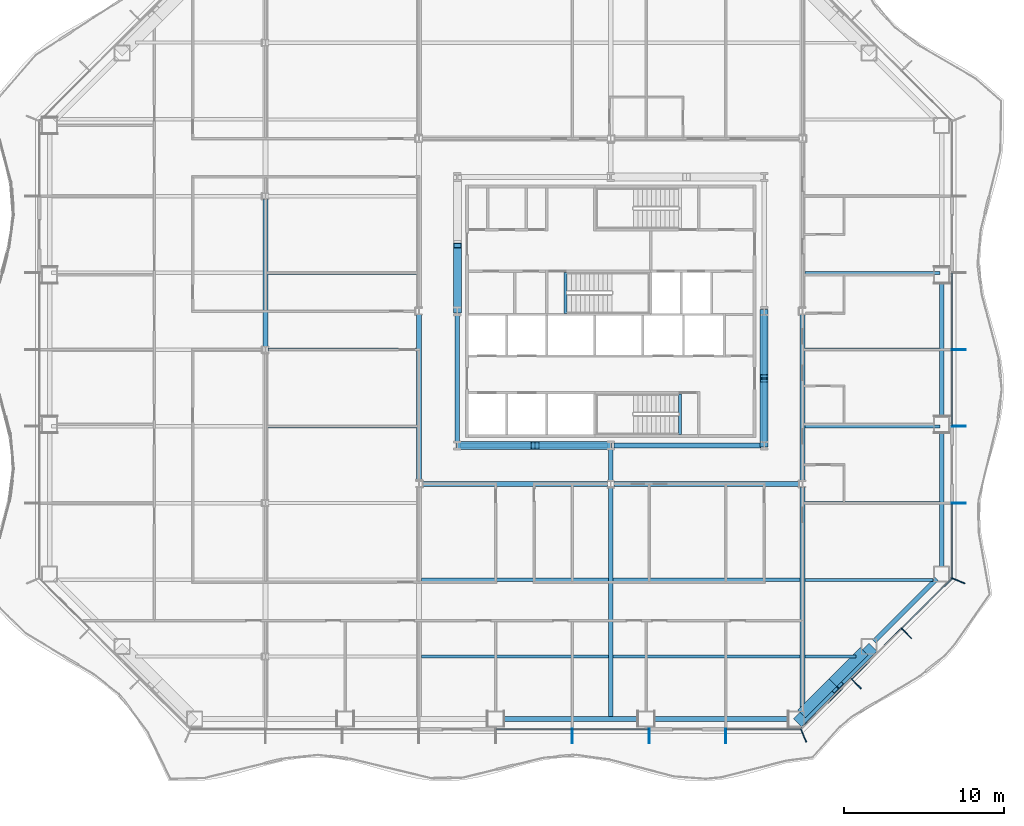
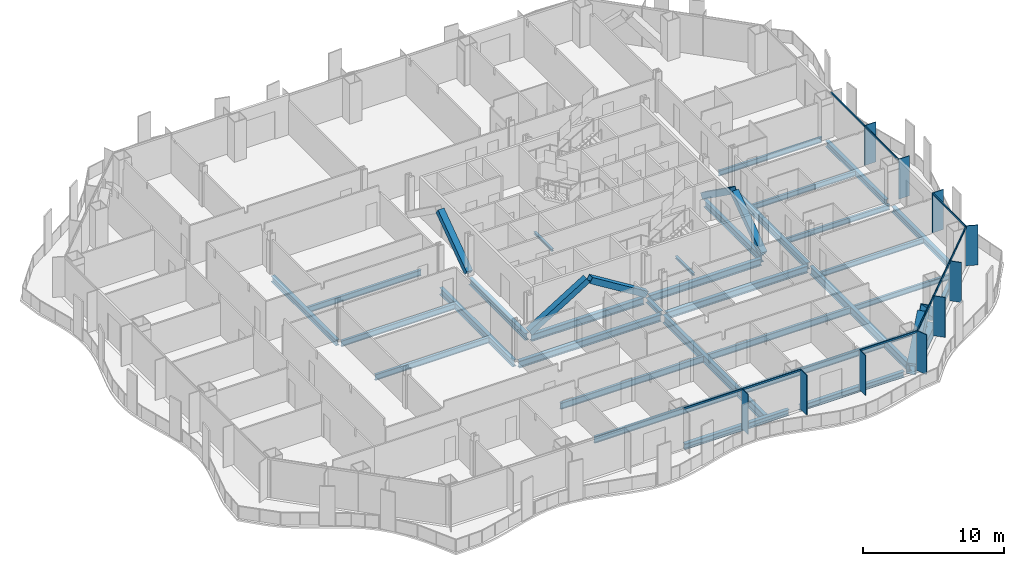
# One storey, part 2 of 20: 34 beams, 26 members, 3 elements without a shape of their own.
"""IFC4 building model written with IfcOpenShell, lengths in metres."""

from ifc_helpers import new_model, si_unit, direction, frame, origin, origin_2d, place, context, subcontext, project, spatial, rectangle, hollow_rectangle, i_section, extrude, material, material_profile, profile_set, type_object, element, aggregate, save


model = new_model("IFC4")

# Units and contexts
model_context = context("Model", 3, precision=1e-05, world=origin(), true_north=direction((0.0, 1.0)))
body_context = subcontext(model_context, "Body", "Model", "MODEL_VIEW")
ifc_project = project(units=[si_unit("LENGTHUNIT", "METRE"), si_unit("AREAUNIT", "SQUARE_METRE"), si_unit("VOLUMEUNIT", "CUBIC_METRE"), si_unit("PLANEANGLEUNIT", "RADIAN"), si_unit("MASSUNIT", "GRAM", prefix="KILO")], contexts=[model_context])

# Site, building, storey
site_placement = place(None, origin())
site = spatial("IfcSite", under=ifc_project, at=site_placement, CompositionType="ELEMENT")
building_placement = place(site_placement, origin())
building = spatial("IfcBuilding", under=site, at=building_placement, Name="Cairn Pilgrim Tower", CompositionType="ELEMENT")
storey_placement = place(building_placement, frame((0.0, 0.0, 51.0)))
storey = spatial("IfcBuildingStorey", under=building, at=storey_placement, Name="L10", CompositionType="ELEMENT", Elevation=51.0)

# Members
ifc_material_1 = material(Name="Structural steel S460M", Category="steel")
ifc_material_profile_1 = material_profile(ifc_material_1, hollow_rectangle(XDim=0.5, YDim=0.5, WallThickness=0.030029296875, at=origin_2d()), Name="BOX 500x500x30")
ifc_profile_set_1 = profile_set([ifc_material_profile_1], Name="Structural steel S460M")
member_type_1 = type_object("IfcMemberType", Name="BOX 500x500x30 BRACE", PredefinedType="BRACE", material=ifc_profile_set_1)
member_1_placement = place(storey_placement, frame((-2.3544921875, -6.0, 0.10009765625), z_axis=(0.850924649093, 0.0, 0.525287770242), x_axis=(0.0, 1.0, 0.0)))
element("IfcMember", 1, at=member_1_placement, inside=storey, type_object=member_type_1, Name="KB-1A", PredefinedType="BRACE", context=body_context, shape_type="SweptSolid", body=[
    extrude(hollow_rectangle(XDim=0.5, YDim=0.5, WallThickness=0.030029296875, at=origin_2d()), origin(), (0.0, 0.0, 1.0), 5.52490234375),
])
member_2_placement = place(storey_placement, frame((7.154541015625, -6.0, 0.10009765625), z_axis=(-0.850919818074, 0.0, 0.52529559603), x_axis=(0.0, -1.0, 0.0)))
element("IfcMember", 2, at=member_2_placement, inside=storey, type_object=member_type_1, Name="KB-1B", PredefinedType="BRACE", context=body_context, shape_type="SweptSolid", body=[
    extrude(hollow_rectangle(XDim=0.5, YDim=0.5, WallThickness=0.030029296875, at=origin_2d()), origin(), (0.0, 0.0, 1.0), 5.375),
])
member_3_placement = place(storey_placement, frame((16.800048828125, -5.95458984375, 0.10009765625), z_axis=(0.0, 0.814083383497, 0.580748004486), x_axis=(-1.0, 0.0, 0.0)))
element("IfcMember", 3, at=member_3_placement, inside=storey, type_object=member_type_1, Name="KB-2A", PredefinedType="BRACE", context=body_context, shape_type="SweptSolid", body=[
    extrude(hollow_rectangle(XDim=0.5, YDim=0.5, WallThickness=0.030029296875, at=origin_2d()), origin(), (0.0, 0.0, 1.0), 4.9951171875),
])
member_4_placement = place(storey_placement, frame((16.800048828125, 2.3544921875, 0.10009765625), z_axis=(0.0, -0.814066898095, 0.580771112769), x_axis=(1.0, 0.0, 0.0)))
element("IfcMember", 4, at=member_4_placement, inside=storey, type_object=member_type_1, Name="KB-2B", PredefinedType="BRACE", context=body_context, shape_type="SweptSolid", body=[
    extrude(hollow_rectangle(XDim=0.5, YDim=0.5, WallThickness=0.030029296875, at=origin_2d()), origin(), (0.0, 0.0, 1.0), 4.994873046875),
])
member_5_placement = place(storey_placement, frame((-2.39990234375, 2.4453125, 0.10009765625), z_axis=(0.0, 0.814083383497, 0.580748004486), x_axis=(-1.0, 0.0, 0.0)))
element("IfcMember", 5, at=member_5_placement, inside=storey, type_object=member_type_1, Name="KB-4B", PredefinedType="BRACE", context=body_context, shape_type="SweptSolid", body=[
    extrude(hollow_rectangle(XDim=0.5, YDim=0.5, WallThickness=0.030029296875, at=origin_2d()), origin(), (0.0, 0.0, 1.0), 4.9951171875),
])
ifc_material_profile_2 = material_profile(ifc_material_1, hollow_rectangle(XDim=0.699951171875, YDim=0.699951171875, WallThickness=0.0400390625, at=origin_2d()), Name="BOX 700x700x40")
ifc_profile_set_2 = profile_set([ifc_material_profile_2], Name="Structural steel S460M")
member_type_2 = type_object("IfcMemberType", Name="BOX 700x700x40 BRACE", PredefinedType="BRACE", material=ifc_profile_set_2)
member_6_placement = place(storey_placement, frame((19.0498046875, -23.181396484375, 0.14990234375), z_axis=(0.528096125699, 0.528096125699, 0.665002980477), x_axis=(-0.707106781187, 0.707106781187, 0.0)))
element("IfcMember", 6, at=member_6_placement, inside=storey, type_object=member_type_2, Name="XB-SE1-SE2-1", PredefinedType="BRACE", context=body_context, shape_type="SweptSolid", body=[
    extrude(hollow_rectangle(XDim=0.699951171875, YDim=0.699951171875, WallThickness=0.0400390625, at=origin_2d()), origin(), (0.0, 0.0, 1.0), 3.89990234375),
])
member_7_placement = place(storey_placement, frame((23.44482421875, -18.786376953125, 0.14990234375), z_axis=(-0.528068439288, -0.528068439288, 0.665046950866), x_axis=(0.707106781187, -0.707106781187, 0.0)))
element("IfcMember", 7, at=member_7_placement, inside=storey, type_object=member_type_2, Name="XB-SE1-SE2-2", PredefinedType="BRACE", context=body_context, shape_type="SweptSolid", body=[
    extrude(hollow_rectangle(XDim=0.699951171875, YDim=0.699951171875, WallThickness=0.0400390625, at=origin_2d()), origin(), (0.0, 0.0, 1.0), 3.899658203125),
])

# Beams
ifc_material_2 = material(Name="Structural steel S355J2", Category="steel")
ifc_material_profile_3 = material_profile(ifc_material_2, hollow_rectangle(XDim=0.699951171875, YDim=0.800048828125, WallThickness=0.0400390625, at=origin_2d()), Name="BOX 700x800x40")
ifc_profile_set_3 = profile_set([ifc_material_profile_3], Name="Structural steel S355J2")
beam_type_1 = type_object("IfcBeamType", Name="BOX 700x800x40 RING GIRDER", PredefinedType="SPANDREL", material=ifc_profile_set_3)
for number, where, z_axis, x_axis, name in (
    (8, (19.1455078125, -22.78173828125, -0.550048828125), (0.707106781187, 0.707106781187, 0.0), (-0.707106781187, 0.707106781187, 0.0), "RG1-SE1-SE2-1"),
    (9, (21.095458984375, -20.831787109375, -0.550048828125), (0.707106781187, 0.707106781187, 0.0), (-0.707106781187, 0.707106781187, 0.0), "RG1-SE1-SE2-2"),
):
    element("IfcBeam", number, at=place(storey_placement, frame(where, z_axis=z_axis, x_axis=x_axis)), inside=storey, type_object=beam_type_1, Name=name, PredefinedType="SPANDREL", context=body_context, shape_type="SweptSolid", body=[
        extrude(hollow_rectangle(XDim=0.699951171875, YDim=0.800048828125, WallThickness=0.0400390625, at=origin_2d()), origin(), (0.0, 0.0, 1.0), 2.757568359375),
    ])

# Curtain wall, members
ifc_material_3 = material(Name="Aluminium alloy 6063-T6 bronze anodised with Bronze tinted laminated low-E glass 8+16+8.8", Category="aluminium")
curtain_wall_type_1 = type_object("IfcCurtainWallType", Name="TOWER STICK CURTAIN WALL NS", PredefinedType="NOTDEFINED", material=ifc_material_3)
curtain_wall_1_placement = place(storey_placement, origin())
curtain_wall_1 = element("IfcCurtainWall", 10, at=curtain_wall_1_placement, inside=storey, type_object=curtain_wall_type_1, Name="Tower Stick Curtain Wall Ns S", PredefinedType="NOTDEFINED")
ifc_material_4 = material(Name="Aluminium alloy 6063-T6 bronze anodised", Category="aluminium")
ifc_material_profile_4 = material_profile(ifc_material_4, rectangle(XDim=0.89990234375, YDim=0.06005859375, at=origin_2d()), Name="FIN MULLION 60x900 BRONZE")
ifc_profile_set_4 = profile_set([ifc_material_profile_4], Name="Aluminium alloy 6063-T6 bronze anodised")
member_type_3 = type_object("IfcMemberType", Name="FIN MULLION 60x900 BRONZE", PredefinedType="MULLION", material=ifc_profile_set_4)
member_8_placement = place(storey_placement, frame((4.800048828125, -24.169921875, 0.0), z_axis=(0.0, 0.0, 1.0), x_axis=(0.0, -1.0, 0.0)))
member_8 = element("IfcMember", 11, at=member_8_placement, type_object=member_type_3, Name="Fin mullion S6", PredefinedType="MULLION", context=body_context, shape_type="SweptSolid", body=[
    extrude(rectangle(XDim=0.89990234375, YDim=0.06005859375, at=origin_2d()), origin(), (0.0, 0.0, 1.0), 3.449951171875),
])
member_9_placement = place(storey_placement, frame((9.60009765625, -24.169921875, 0.0), z_axis=(0.0, 0.0, 1.0), x_axis=(0.0, -1.0, 0.0)))
member_9 = element("IfcMember", 12, at=member_9_placement, type_object=member_type_3, Name="Fin mullion S7", PredefinedType="MULLION", context=body_context, shape_type="SweptSolid", body=[
    extrude(rectangle(XDim=0.89990234375, YDim=0.06005859375, at=origin_2d()), origin(), (0.0, 0.0, 1.0), 3.449951171875),
])
member_10_placement = place(storey_placement, frame((14.39990234375, -24.169921875, 0.0), z_axis=(0.0, 0.0, 1.0), x_axis=(0.0, -1.0, 0.0)))
member_10 = element("IfcMember", 13, at=member_10_placement, type_object=member_type_3, Name="Fin mullion S8", PredefinedType="MULLION", context=body_context, shape_type="SweptSolid", body=[
    extrude(rectangle(XDim=0.89990234375, YDim=0.06005859375, at=origin_2d()), origin(), (0.0, 0.0, 1.0), 3.449951171875),
])

curtain_wall_type_2 = type_object("IfcCurtainWallType", Name="CHAMFER CORNER CURTAIN WALL", PredefinedType="NOTDEFINED", material=ifc_material_3)
curtain_wall_2_placement = place(storey_placement, origin())
curtain_wall_2 = element("IfcCurtainWall", 14, at=curtain_wall_2_placement, inside=storey, type_object=curtain_wall_type_2, Name="Chamfer Corner Curtain Wall SE", PredefinedType="NOTDEFINED")
member_11_placement = place(storey_placement, frame((19.257080078125, -24.137939453125, 0.0), z_axis=(0.0, 0.0, 1.0), x_axis=(0.382683432365, -0.923879532511, 0.0)))
member_11 = element("IfcMember", 15, at=member_11_placement, type_object=member_type_3, Name="Fin mullion SE1", PredefinedType="MULLION", context=body_context, shape_type="SweptSolid", body=[
    extrude(rectangle(XDim=0.89990234375, YDim=0.06005859375, at=origin_2d()), origin(), (0.0, 0.0, 1.0), 3.449951171875),
])
member_12_placement = place(storey_placement, frame((22.544677734375, -20.895751953125, 0.0), z_axis=(0.0, 0.0, 1.0), x_axis=(0.707106781187, -0.707106781187, 0.0)))
member_12 = element("IfcMember", 16, at=member_12_placement, type_object=member_type_3, Name="Fin mullion SE2", PredefinedType="MULLION", context=body_context, shape_type="SweptSolid", body=[
    extrude(rectangle(XDim=0.89990234375, YDim=0.06005859375, at=origin_2d()), origin(), (0.0, 0.0, 1.0), 3.449951171875),
])
member_13_placement = place(storey_placement, frame((25.69580078125, -17.74462890625, 0.0), z_axis=(0.0, 0.0, 1.0), x_axis=(0.707106781187, -0.707106781187, 0.0)))
member_13 = element("IfcMember", 17, at=member_13_placement, type_object=member_type_3, Name="Fin mullion SE3", PredefinedType="MULLION", context=body_context, shape_type="SweptSolid", body=[
    extrude(rectangle(XDim=0.89990234375, YDim=0.06005859375, at=origin_2d()), origin(), (0.0, 0.0, 1.0), 3.449951171875),
])

curtain_wall_type_3 = type_object("IfcCurtainWallType", Name="TOWER STICK CURTAIN WALL EW", PredefinedType="NOTDEFINED", material=ifc_material_3)
curtain_wall_3_placement = place(storey_placement, origin())
curtain_wall_3 = element("IfcCurtainWall", 18, at=curtain_wall_3_placement, inside=storey, type_object=curtain_wall_type_3, Name="Tower Stick Curtain Wall Ew E", PredefinedType="NOTDEFINED")
member_14_placement = place(storey_placement, frame((28.93798828125, -14.457275390625, 0.0), z_axis=(0.0, 0.0, 1.0), x_axis=(0.923879532511, -0.382683432365, 0.0)))
member_14 = element("IfcMember", 19, at=member_14_placement, type_object=member_type_3, Name="Fin mullion E1", PredefinedType="MULLION", context=body_context, shape_type="SweptSolid", body=[
    extrude(rectangle(XDim=0.89990234375, YDim=0.06005859375, at=origin_2d()), origin(), (0.0, 0.0, 1.0), 3.449951171875),
])
member_15_placement = place(storey_placement, frame((28.969970703125, -9.60009765625, 0.0), z_axis=(0.0, 0.0, 1.0), x_axis=(1.0, 0.0, 0.0)))
member_15 = element("IfcMember", 20, at=member_15_placement, type_object=member_type_3, Name="Fin mullion E2", PredefinedType="MULLION", context=body_context, shape_type="SweptSolid", body=[
    extrude(rectangle(XDim=0.89990234375, YDim=0.06005859375, at=origin_2d()), origin(), (0.0, 0.0, 1.0), 3.449951171875),
])
member_16_placement = place(storey_placement, frame((28.969970703125, -4.800048828125, 0.0), z_axis=(0.0, 0.0, 1.0), x_axis=(1.0, 0.0, 0.0)))
member_16 = element("IfcMember", 21, at=member_16_placement, type_object=member_type_3, Name="Fin mullion E3", PredefinedType="MULLION", context=body_context, shape_type="SweptSolid", body=[
    extrude(rectangle(XDim=0.89990234375, YDim=0.06005859375, at=origin_2d()), origin(), (0.0, 0.0, 1.0), 3.449951171875),
])
member_17_placement = place(storey_placement, frame((28.969970703125, 0.0, 0.0), z_axis=(0.0, 0.0, 1.0), x_axis=(1.0, 0.0, 0.0)))
member_17 = element("IfcMember", 22, at=member_17_placement, type_object=member_type_3, Name="Fin mullion E4", PredefinedType="MULLION", context=body_context, shape_type="SweptSolid", body=[
    extrude(rectangle(XDim=0.89990234375, YDim=0.06005859375, at=origin_2d()), origin(), (0.0, 0.0, 1.0), 3.449951171875),
])

# Beams
ifc_material_profile_5 = material_profile(ifc_material_2, i_section(OverallWidth=0.300048828125, OverallDepth=0.39990234375, WebThickness=0.013427734375, FlangeThickness=0.02392578125, FilletRadius=0.027099609375, at=origin_2d()), Name="HEB 400")
ifc_profile_set_5 = profile_set([ifc_material_profile_5], Name="Structural steel S355J2")
beam_type_2 = type_object("IfcBeamType", Name="HEB 400 GIRDER", PredefinedType="BEAM", material=ifc_profile_set_5)
beam_1_placement = place(storey_placement, frame((7.199951171875, -8.18798828125, -0.35009765625), z_axis=(0.0, 1.0, 0.0), x_axis=(-1.0, 0.0, 0.0)))
element("IfcBeam", 23, at=beam_1_placement, inside=storey, type_object=beam_type_2, Name="PG3-E1", PredefinedType="BEAM", context=body_context, shape_type="SweptSolid", body=[
    extrude(i_section(OverallWidth=0.300048828125, OverallDepth=0.39990234375, WebThickness=0.013427734375, FlangeThickness=0.02392578125, FilletRadius=0.027099609375, at=origin_2d()), origin(), (0.0, 0.0, 1.0), 1.9609375),
])
ifc_material_profile_6 = material_profile(ifc_material_2, i_section(OverallWidth=0.300048828125, OverallDepth=0.5, WebThickness=0.014404296875, FlangeThickness=0.028076171875, FilletRadius=0.027099609375, at=origin_2d()), Name="HEB 500")
ifc_profile_set_6 = profile_set([ifc_material_profile_6], Name="Structural steel S355J2")
beam_type_3 = type_object("IfcBeamType", Name="HEB 500 GIRDER", PredefinedType="BEAM", material=ifc_profile_set_6)
beam_2_placement = place(storey_placement, frame((-14.39990234375, 0.20458984375, -0.39990234375), z_axis=(0.0, 1.0, 0.0), x_axis=(-1.0, 0.0, 0.0)))
element("IfcBeam", 24, at=beam_2_placement, inside=storey, type_object=beam_type_3, Name="PG1-4", PredefinedType="BEAM", context=body_context, shape_type="SweptSolid", body=[
    extrude(i_section(OverallWidth=0.300048828125, OverallDepth=0.5, WebThickness=0.014404296875, FlangeThickness=0.028076171875, FilletRadius=0.027099609375, at=origin_2d()), origin(), (0.0, 0.0, 1.0), 9.19091796875),
])
ifc_material_profile_7 = material_profile(ifc_material_2, i_section(OverallWidth=0.300048828125, OverallDepth=0.5, WebThickness=0.014404296875, FlangeThickness=0.028076171875, FilletRadius=0.027099609375, at=origin_2d()), Name="HEB 500")
ifc_profile_set_7 = profile_set([ifc_material_profile_7], Name="Structural steel S355J2")
beam_type_4 = type_object("IfcBeamType", Name="HEB 500 RING GIRDER", PredefinedType="SPANDREL", material=ifc_profile_set_7)
for number, where, z_axis, x_axis, name in (
    (25, (0.449951171875, -23.10009765625, -0.39990234375), (1.0, 0.0, 0.0), (0.0, 1.0, 0.0), "RG1-S3-S4"),
    (26, (9.863525390625, -23.10009765625, -0.39990234375), (1.0, 0.0, 0.0), (0.0, 1.0, 0.0), "RG1-S4-SE1"),
):
    element("IfcBeam", number, at=place(storey_placement, frame(where, z_axis=z_axis, x_axis=x_axis)), inside=storey, type_object=beam_type_4, Name=name, PredefinedType="SPANDREL", context=body_context, shape_type="SweptSolid", body=[
        extrude(i_section(OverallWidth=0.300048828125, OverallDepth=0.5, WebThickness=0.014404296875, FlangeThickness=0.028076171875, FilletRadius=0.027099609375, at=origin_2d()), origin(), (0.0, 0.0, 1.0), 8.513671875),
    ])
beam_3_placement = place(storey_placement, frame((23.681884765625, -18.245361328125, -0.39990234375), z_axis=(0.707106781187, 0.707106781187, 0.0), x_axis=(-0.707106781187, 0.707106781187, 0.0)))
element("IfcBeam", 27, at=beam_3_placement, inside=storey, type_object=beam_type_4, Name="RG1-SE2-E1", PredefinedType="SPANDREL", context=body_context, shape_type="SweptSolid", body=[
    extrude(i_section(OverallWidth=0.300048828125, OverallDepth=0.5, WebThickness=0.014404296875, FlangeThickness=0.028076171875, FilletRadius=0.027099609375, at=origin_2d()), origin(), (0.0, 0.0, 1.0), 5.515380859375),
])
beam_4_placement = place(storey_placement, frame((27.89990234375, -13.5771484375, -0.39990234375), z_axis=(0.0, 1.0, 0.0), x_axis=(-1.0, 0.0, 0.0)))
element("IfcBeam", 28, at=beam_4_placement, inside=storey, type_object=beam_type_4, Name="RG1-E1-E2", PredefinedType="SPANDREL", context=body_context, shape_type="SweptSolid", body=[
    extrude(i_section(OverallWidth=0.300048828125, OverallDepth=0.5, WebThickness=0.014404296875, FlangeThickness=0.028076171875, FilletRadius=0.027099609375, at=origin_2d()), origin(), (0.0, 0.0, 1.0), 8.451416015625),
])
beam_5_placement = place(storey_placement, frame((27.89990234375, -4.2255859375, -0.39990234375), z_axis=(0.0, 1.0, 0.0), x_axis=(-1.0, 0.0, 0.0)))
element("IfcBeam", 29, at=beam_5_placement, inside=storey, type_object=beam_type_4, Name="RG1-E2-E3", PredefinedType="SPANDREL", context=body_context, shape_type="SweptSolid", body=[
    extrude(i_section(OverallWidth=0.300048828125, OverallDepth=0.5, WebThickness=0.014404296875, FlangeThickness=0.028076171875, FilletRadius=0.027099609375, at=origin_2d()), origin(), (0.0, 0.0, 1.0), 8.451171875),
])
ifc_material_profile_8 = material_profile(ifc_material_2, i_section(OverallWidth=0.300048828125, OverallDepth=0.60009765625, WebThickness=0.015380859375, FlangeThickness=0.030029296875, FilletRadius=0.027099609375, at=origin_2d()), Name="HEB 600")
ifc_profile_set_8 = profile_set([ifc_material_profile_8], Name="Structural steel S355J2")
beam_type_5 = type_object("IfcBeamType", Name="HEB 600 CORE BEAM", PredefinedType="BEAM", material=ifc_profile_set_8)
for number, where, z_axis, x_axis, name in (
    (30, (-2.19580078125, -6.0, -0.449951171875), (1.0, 0.0, 0.0), (0.0, 1.0, 0.0), "CB-1"),
    (31, (7.404296875, -6.0, -0.449951171875), (1.0, 0.0, 0.0), (0.0, 1.0, 0.0), "CB-2"),
):
    element("IfcBeam", number, at=place(storey_placement, frame(where, z_axis=z_axis, x_axis=x_axis)), inside=storey, type_object=beam_type_5, Name=name, PredefinedType="BEAM", context=body_context, shape_type="SweptSolid", body=[
        extrude(i_section(OverallWidth=0.300048828125, OverallDepth=0.60009765625, WebThickness=0.015380859375, FlangeThickness=0.030029296875, FilletRadius=0.027099609375, at=origin_2d()), origin(), (0.0, 0.0, 1.0), 9.19140625),
    ])
for number, where, z_axis, x_axis, name in (
    (32, (16.800048828125, -5.795654296875, -0.449951171875), (0.0, 1.0, 0.0), (-1.0, 0.0, 0.0), "CB-3"),
    (33, (-2.39990234375, 2.19580078125, -0.449951171875), (0.0, -1.0, 0.0), (1.0, 0.0, 0.0), "CB-8"),
):
    element("IfcBeam", number, at=place(storey_placement, frame(where, z_axis=z_axis, x_axis=x_axis)), inside=storey, type_object=beam_type_5, Name=name, PredefinedType="BEAM", context=body_context, shape_type="SweptSolid", body=[
        extrude(i_section(OverallWidth=0.300048828125, OverallDepth=0.60009765625, WebThickness=0.015380859375, FlangeThickness=0.030029296875, FilletRadius=0.027099609375, at=origin_2d()), origin(), (0.0, 0.0, 1.0), 7.991455078125),
    ])
ifc_material_profile_9 = material_profile(ifc_material_2, i_section(OverallWidth=0.300048828125, OverallDepth=0.60009765625, WebThickness=0.015380859375, FlangeThickness=0.030029296875, FilletRadius=0.027099609375, at=origin_2d()), Name="HEB 600")
ifc_profile_set_9 = profile_set([ifc_material_profile_9], Name="Structural steel S355J2")
beam_type_6 = type_object("IfcBeamType", Name="HEB 600 GIRDER", PredefinedType="BEAM", material=ifc_profile_set_9)
for number, where, z_axis, x_axis, name in (
    (34, (-4.800048828125, -8.18798828125, -0.449951171875), (0.0, 1.0, 0.0), (-1.0, 0.0, 0.0), "PG2-2"),
    (35, (19.199951171875, -8.18798828125, -0.449951171875), (0.0, 1.0, 0.0), (-1.0, 0.0, 0.0), "PG4-2"),
):
    element("IfcBeam", number, at=place(storey_placement, frame(where, z_axis=z_axis, x_axis=x_axis)), inside=storey, type_object=beam_type_6, Name=name, PredefinedType="BEAM", context=body_context, shape_type="SweptSolid", body=[
        extrude(i_section(OverallWidth=0.300048828125, OverallDepth=0.60009765625, WebThickness=0.015380859375, FlangeThickness=0.030029296875, FilletRadius=0.027099609375, at=origin_2d()), origin(), (0.0, 0.0, 1.0), 10.3759765625),
    ])
ifc_material_profile_10 = material_profile(ifc_material_2, i_section(OverallWidth=0.300048828125, OverallDepth=0.60009765625, WebThickness=0.015380859375, FlangeThickness=0.030029296875, FilletRadius=0.027099609375, at=origin_2d()), Name="HEB 600")
ifc_profile_set_10 = profile_set([ifc_material_profile_10], Name="Structural steel S355J2")
beam_type_7 = type_object("IfcBeamType", Name="HEB 600 INNER GIRDER", PredefinedType="BEAM", material=ifc_profile_set_10)
for number, where, z_axis, x_axis, name in (
    (36, (-4.587890625, -8.39990234375, -0.449951171875), (1.0, 0.0, 0.0), (0.0, 1.0, 0.0), "IG1-1"),
    (37, (7.412109375, -8.39990234375, -0.449951171875), (1.0, 0.0, 0.0), (0.0, 1.0, 0.0), "IG1-2"),
):
    element("IfcBeam", number, at=place(storey_placement, frame(where, z_axis=z_axis, x_axis=x_axis)), inside=storey, type_object=beam_type_7, Name=name, PredefinedType="BEAM", context=body_context, shape_type="SweptSolid", body=[
        extrude(i_section(OverallWidth=0.300048828125, OverallDepth=0.60009765625, WebThickness=0.015380859375, FlangeThickness=0.030029296875, FilletRadius=0.027099609375, at=origin_2d()), origin(), (0.0, 0.0, 1.0), 11.575927734375),
    ])
ifc_material_profile_11 = material_profile(ifc_material_2, i_section(OverallWidth=0.300048828125, OverallDepth=0.699951171875, WebThickness=0.01708984375, FlangeThickness=0.031982421875, FilletRadius=0.027099609375, at=origin_2d()), Name="HEB 700")
ifc_profile_set_11 = profile_set([ifc_material_profile_11], Name="Structural steel S355J2")
beam_type_8 = type_object("IfcBeamType", Name="HEB 700 GIRDER", PredefinedType="BEAM", material=ifc_profile_set_11)
beam_6_placement = place(storey_placement, frame((7.199951171875, -22.97998046875, -0.5), z_axis=(0.0, 1.0, 0.0), x_axis=(-1.0, 0.0, 0.0)))
element("IfcBeam", 38, at=beam_6_placement, inside=storey, type_object=beam_type_8, Name="PG3-1", PredefinedType="BEAM", context=body_context, shape_type="SweptSolid", body=[
    extrude(i_section(OverallWidth=0.300048828125, OverallDepth=0.699951171875, WebThickness=0.01708984375, FlangeThickness=0.031982421875, FilletRadius=0.027099609375, at=origin_2d()), origin(), (0.0, 0.0, 1.0), 14.367919921875),
])
beam_7_placement = place(storey_placement, frame((19.199951171875, -22.545166015625, -0.5), z_axis=(0.0, 1.0, 0.0), x_axis=(-1.0, 0.0, 0.0)))
element("IfcBeam", 39, at=beam_7_placement, inside=storey, type_object=beam_type_8, Name="PG4-1", PredefinedType="BEAM", context=body_context, shape_type="SweptSolid", body=[
    extrude(i_section(OverallWidth=0.300048828125, OverallDepth=0.699951171875, WebThickness=0.01708984375, FlangeThickness=0.031982421875, FilletRadius=0.027099609375, at=origin_2d()), origin(), (0.0, 0.0, 1.0), 13.93310546875),
])
ifc_material_profile_12 = material_profile(ifc_material_2, i_section(OverallWidth=0.169921875, OverallDepth=0.360107421875, WebThickness=0.008056640625, FlangeThickness=0.0126953125, FilletRadius=0.01806640625, at=origin_2d()), Name="IPE 360")
ifc_profile_set_12 = profile_set([ifc_material_profile_12], Name="Structural steel S355J2")
beam_type_9 = type_object("IfcBeamType", Name="IPE 360 SECONDARY BEAM", PredefinedType="JOIST", material=ifc_profile_set_12)
beam_8_placement = place(storey_placement, frame((19.35009765625, -19.199951171875, -0.330078125), z_axis=(1.0, 0.0, 0.0), x_axis=(0.0, 1.0, 0.0)))
element("IfcBeam", 40, at=beam_8_placement, inside=storey, type_object=beam_type_9, Name="SB1-5", PredefinedType="JOIST", context=body_context, shape_type="SweptSolid", body=[
    extrude(i_section(OverallWidth=0.169921875, OverallDepth=0.360107421875, WebThickness=0.008056640625, FlangeThickness=0.0126953125, FilletRadius=0.01806640625, at=origin_2d()), origin(), (0.0, 0.0, 1.0), 3.195068359375),
])
ifc_material_profile_13 = material_profile(ifc_material_2, i_section(OverallWidth=0.18994140625, OverallDepth=0.449951171875, WebThickness=0.009521484375, FlangeThickness=0.0146484375, FilletRadius=0.02099609375, at=origin_2d()), Name="IPE 450")
ifc_profile_set_13 = profile_set([ifc_material_profile_13], Name="Structural steel S355J2")
beam_type_10 = type_object("IfcBeamType", Name="IPE 450 SECONDARY BEAM", PredefinedType="JOIST", material=ifc_profile_set_13)
beam_9_placement = place(storey_placement, frame((19.35009765625, -14.39990234375, -0.375), z_axis=(1.0, 0.0, 0.0), x_axis=(0.0, 1.0, 0.0)))
element("IfcBeam", 41, at=beam_9_placement, inside=storey, type_object=beam_type_10, Name="SB2-5", PredefinedType="JOIST", context=body_context, shape_type="SweptSolid", body=[
    extrude(i_section(OverallWidth=0.18994140625, OverallDepth=0.449951171875, WebThickness=0.009521484375, FlangeThickness=0.0146484375, FilletRadius=0.02099609375, at=origin_2d()), origin(), (0.0, 0.0, 1.0), 7.9951171875),
])
for number, where, z_axis, x_axis, name in (
    (42, (19.35009765625, -9.60009765625, -0.375), (1.0, 0.0, 0.0), (0.0, 1.0, 0.0), "SB3-3"),
    (43, (19.35009765625, -4.800048828125, -0.375), (1.0, 0.0, 0.0), (0.0, 1.0, 0.0), "SB4-3"),
    (44, (19.35009765625, 0.0, -0.375), (1.0, 0.0, 0.0), (0.0, 1.0, 0.0), "SB5-3"),
    (45, (19.35009765625, 4.800048828125, -0.375), (1.0, 0.0, 0.0), (0.0, 1.0, 0.0), "SB6-3"),
):
    element("IfcBeam", number, at=place(storey_placement, frame(where, z_axis=z_axis, x_axis=x_axis)), inside=storey, type_object=beam_type_10, Name=name, PredefinedType="JOIST", context=body_context, shape_type="SweptSolid", body=[
        extrude(i_section(OverallWidth=0.18994140625, OverallDepth=0.449951171875, WebThickness=0.009521484375, FlangeThickness=0.0146484375, FilletRadius=0.02099609375, at=origin_2d()), origin(), (0.0, 0.0, 1.0), 8.429931640625),
    ])
ifc_material_profile_14 = material_profile(ifc_material_2, i_section(OverallWidth=0.199951171875, OverallDepth=0.5, WebThickness=0.01025390625, FlangeThickness=0.01611328125, FilletRadius=0.02099609375, at=origin_2d()), Name="IPE 500")
ifc_profile_set_14 = profile_set([ifc_material_profile_14], Name="Structural steel S355J2")
beam_type_11 = type_object("IfcBeamType", Name="IPE 500 SECONDARY BEAM", PredefinedType="JOIST", material=ifc_profile_set_14)
for number, where, z_axis, x_axis, name in (
    (46, (-14.25, -4.800048828125, -0.39990234375), (1.0, 0.0, 0.0), (0.0, 1.0, 0.0), "SB4-2"),
    (47, (-14.25, 0.0, -0.39990234375), (1.0, 0.0, 0.0), (0.0, 1.0, 0.0), "SB5-2"),
    (48, (-14.25, 4.800048828125, -0.39990234375), (1.0, 0.0, 0.0), (0.0, 1.0, 0.0), "SB6-2"),
):
    element("IfcBeam", number, at=place(storey_placement, frame(where, z_axis=z_axis, x_axis=x_axis)), inside=storey, type_object=beam_type_11, Name=name, PredefinedType="JOIST", context=body_context, shape_type="SweptSolid", body=[
        extrude(i_section(OverallWidth=0.199951171875, OverallDepth=0.5, WebThickness=0.01025390625, FlangeThickness=0.01611328125, FilletRadius=0.02099609375, at=origin_2d()), origin(), (0.0, 0.0, 1.0), 9.300048828125),
    ])
ifc_material_profile_15 = material_profile(ifc_material_2, i_section(OverallWidth=0.2099609375, OverallDepth=0.550048828125, WebThickness=0.010986328125, FlangeThickness=0.01708984375, FilletRadius=0.02392578125, at=origin_2d()), Name="IPE 550")
ifc_profile_set_15 = profile_set([ifc_material_profile_15], Name="Structural steel S355J2")
beam_type_12 = type_object("IfcBeamType", Name="IPE 550 SECONDARY BEAM", PredefinedType="JOIST", material=ifc_profile_set_15)
for number, where, z_axis, x_axis, name in (
    (49, (-4.64990234375, -19.199951171875, -0.425048828125), (1.0, 0.0, 0.0), (0.0, 1.0, 0.0), "SB1-3"),
    (50, (7.35009765625, -19.199951171875, -0.425048828125), (1.0, 0.0, 0.0), (0.0, 1.0, 0.0), "SB1-4"),
    (51, (-4.64990234375, -14.39990234375, -0.425048828125), (1.0, 0.0, 0.0), (0.0, 1.0, 0.0), "SB2-3"),
    (52, (7.35009765625, -14.39990234375, -0.425048828125), (1.0, 0.0, 0.0), (0.0, 1.0, 0.0), "SB2-4"),
):
    element("IfcBeam", number, at=place(storey_placement, frame(where, z_axis=z_axis, x_axis=x_axis)), inside=storey, type_object=beam_type_12, Name=name, PredefinedType="JOIST", context=body_context, shape_type="SweptSolid", body=[
        extrude(i_section(OverallWidth=0.2099609375, OverallDepth=0.550048828125, WebThickness=0.010986328125, FlangeThickness=0.01708984375, FilletRadius=0.02392578125, at=origin_2d()), origin(), (0.0, 0.0, 1.0), 11.699951171875),
    ])
ifc_material_profile_16 = material_profile(ifc_material_2, i_section(OverallWidth=0.199951171875, OverallDepth=0.199951171875, WebThickness=0.009033203125, FlangeThickness=0.014892578125, FilletRadius=0.01806640625, at=origin_2d()), Name="HE 200 B")
ifc_profile_set_16 = profile_set([ifc_material_profile_16], Name="Structural steel S355J2")
beam_type_13 = type_object("IfcBeamType", Name="STAIR LANDING BEAM HE 200 B", PredefinedType="BEAM", material=ifc_profile_set_16)
beam_10_placement = place(storey_placement, frame((11.5244140625, -2.77490234375, -0.25), z_axis=(0.0, -1.0, 0.0), x_axis=(1.0, 0.0, 0.0)))
element("IfcBeam", 53, at=beam_10_placement, inside=storey, type_object=beam_type_13, Name="STAIR LANDING BEAM LD-HE200B", PredefinedType="BEAM", context=body_context, shape_type="SweptSolid", body=[
    extrude(i_section(OverallWidth=0.199951171875, OverallDepth=0.199951171875, WebThickness=0.009033203125, FlangeThickness=0.014892578125, FilletRadius=0.01806640625, at=origin_2d()), origin(), (0.0, 0.0, 1.0), 2.525146484375),
])
beam_11_placement = place(storey_placement, frame((4.37548828125, 2.27490234375, -0.25), z_axis=(0.0, 1.0, 0.0), x_axis=(-1.0, 0.0, 0.0)))
element("IfcBeam", 54, at=beam_11_placement, inside=storey, type_object=beam_type_13, Name="STAIR LANDING BEAM LD-HE200B", PredefinedType="BEAM", context=body_context, shape_type="SweptSolid", body=[
    extrude(i_section(OverallWidth=0.199951171875, OverallDepth=0.199951171875, WebThickness=0.009033203125, FlangeThickness=0.014892578125, FilletRadius=0.01806640625, at=origin_2d()), origin(), (0.0, 0.0, 1.0), 2.550048828125),
])

# Member
ifc_material_profile_17 = material_profile(ifc_material_4, rectangle(XDim=0.080078125, YDim=0.14990234375, at=origin_2d()), Name="TRANSOM 80x150 BRONZE")
ifc_profile_set_17 = profile_set([ifc_material_profile_17], Name="Aluminium alloy 6063-T6 bronze anodised")
member_type_4 = type_object("IfcMemberType", Name="TRANSOM 80x150 BRONZE", PredefinedType="USERDEFINED", material=ifc_profile_set_17)
member_18_placement = place(storey_placement, frame((0.030029296875, -23.75, 3.375), z_axis=(1.0, 0.0, 0.0), x_axis=(0.0, 1.0, 0.0)))
member_18 = element("IfcMember", 55, at=member_18_placement, type_object=member_type_4, Name="Transom S5", ObjectType="TRANSOM", PredefinedType="USERDEFINED", context=body_context, shape_type="SweptSolid", body=[
    extrude(rectangle(XDim=0.080078125, YDim=0.14990234375, at=origin_2d()), origin(), (0.0, 0.0, 1.0), 4.739990234375),
])

member_19_placement = place(storey_placement, frame((4.830078125, -23.75, 3.375), z_axis=(1.0, 0.0, 0.0), x_axis=(0.0, 1.0, 0.0)))
member_19 = element("IfcMember", 56, at=member_19_placement, type_object=member_type_4, Name="Transom S6", ObjectType="TRANSOM", PredefinedType="USERDEFINED", context=body_context, shape_type="SweptSolid", body=[
    extrude(rectangle(XDim=0.080078125, YDim=0.14990234375, at=origin_2d()), origin(), (0.0, 0.0, 1.0), 4.739990234375),
])

member_20_placement = place(storey_placement, frame((14.429931640625, -23.75, 3.375), z_axis=(1.0, 0.0, 0.0), x_axis=(0.0, 1.0, 0.0)))
member_20 = element("IfcMember", 57, at=member_20_placement, type_object=member_type_4, Name="Transom S8", ObjectType="TRANSOM", PredefinedType="USERDEFINED", context=body_context, shape_type="SweptSolid", body=[
    extrude(rectangle(XDim=0.080078125, YDim=0.14990234375, at=origin_2d()), origin(), (0.0, 0.0, 1.0), 4.62646484375),
])

aggregate(curtain_wall_1, [member_8, member_9, member_10, member_18, member_19, member_20])

member_21_placement = place(storey_placement, frame((19.124755859375, -23.7216796875, 3.375), z_axis=(0.707106781187, 0.707106781187, 0.0), x_axis=(-0.707106781187, 0.707106781187, 0.0)))
member_21 = element("IfcMember", 58, at=member_21_placement, type_object=member_type_4, Name="Transom SE1", ObjectType="TRANSOM", PredefinedType="USERDEFINED", context=body_context, shape_type="SweptSolid", body=[
    extrude(rectangle(XDim=0.080078125, YDim=0.14990234375, at=origin_2d()), origin(), (0.0, 0.0, 1.0), 4.38623046875),
])

member_22_placement = place(storey_placement, frame((22.268798828125, -20.57763671875, 3.375), z_axis=(0.707106781187, 0.707106781187, 0.0), x_axis=(-0.707106781187, 0.707106781187, 0.0)))
member_22 = element("IfcMember", 59, at=member_22_placement, type_object=member_type_4, Name="Transom SE2", ObjectType="TRANSOM", PredefinedType="USERDEFINED", context=body_context, shape_type="SweptSolid", body=[
    extrude(rectangle(XDim=0.080078125, YDim=0.14990234375, at=origin_2d()), origin(), (0.0, 0.0, 1.0), 4.396728515625),
])

member_23_placement = place(storey_placement, frame((25.419921875, -17.426513671875, 3.375), z_axis=(0.707106781187, 0.707106781187, 0.0), x_axis=(-0.707106781187, 0.707106781187, 0.0)))
member_23 = element("IfcMember", 60, at=member_23_placement, type_object=member_type_4, Name="Transom SE3", ObjectType="TRANSOM", PredefinedType="USERDEFINED", context=body_context, shape_type="SweptSolid", body=[
    extrude(rectangle(XDim=0.080078125, YDim=0.14990234375, at=origin_2d()), origin(), (0.0, 0.0, 1.0), 4.38671875),
])

aggregate(curtain_wall_2, [member_11, member_12, member_13, member_21, member_22, member_23])

member_24_placement = place(storey_placement, frame((28.550048828125, -14.25634765625, 3.375), z_axis=(0.0, 1.0, 0.0), x_axis=(-1.0, 0.0, 0.0)))
member_24 = element("IfcMember", 61, at=member_24_placement, type_object=member_type_4, Name="Transom E1", ObjectType="TRANSOM", PredefinedType="USERDEFINED", context=body_context, shape_type="SweptSolid", body=[
    extrude(rectangle(XDim=0.080078125, YDim=0.14990234375, at=origin_2d()), origin(), (0.0, 0.0, 1.0), 4.62646484375),
])

member_25_placement = place(storey_placement, frame((28.550048828125, -4.77001953125, 3.375), z_axis=(0.0, 1.0, 0.0), x_axis=(-1.0, 0.0, 0.0)))
member_25 = element("IfcMember", 62, at=member_25_placement, type_object=member_type_4, Name="Transom E3", ObjectType="TRANSOM", PredefinedType="USERDEFINED", context=body_context, shape_type="SweptSolid", body=[
    extrude(rectangle(XDim=0.080078125, YDim=0.14990234375, at=origin_2d()), origin(), (0.0, 0.0, 1.0), 4.739990234375),
])

member_26_placement = place(storey_placement, frame((28.550048828125, 0.030029296875, 3.375), z_axis=(0.0, 1.0, 0.0), x_axis=(-1.0, 0.0, 0.0)))
member_26 = element("IfcMember", 63, at=member_26_placement, type_object=member_type_4, Name="Transom E4", ObjectType="TRANSOM", PredefinedType="USERDEFINED", context=body_context, shape_type="SweptSolid", body=[
    extrude(rectangle(XDim=0.080078125, YDim=0.14990234375, at=origin_2d()), origin(), (0.0, 0.0, 1.0), 4.739990234375),
])

aggregate(curtain_wall_3, [member_14, member_15, member_16, member_17, member_24, member_25, member_26])

save(model, "model.ifc")
